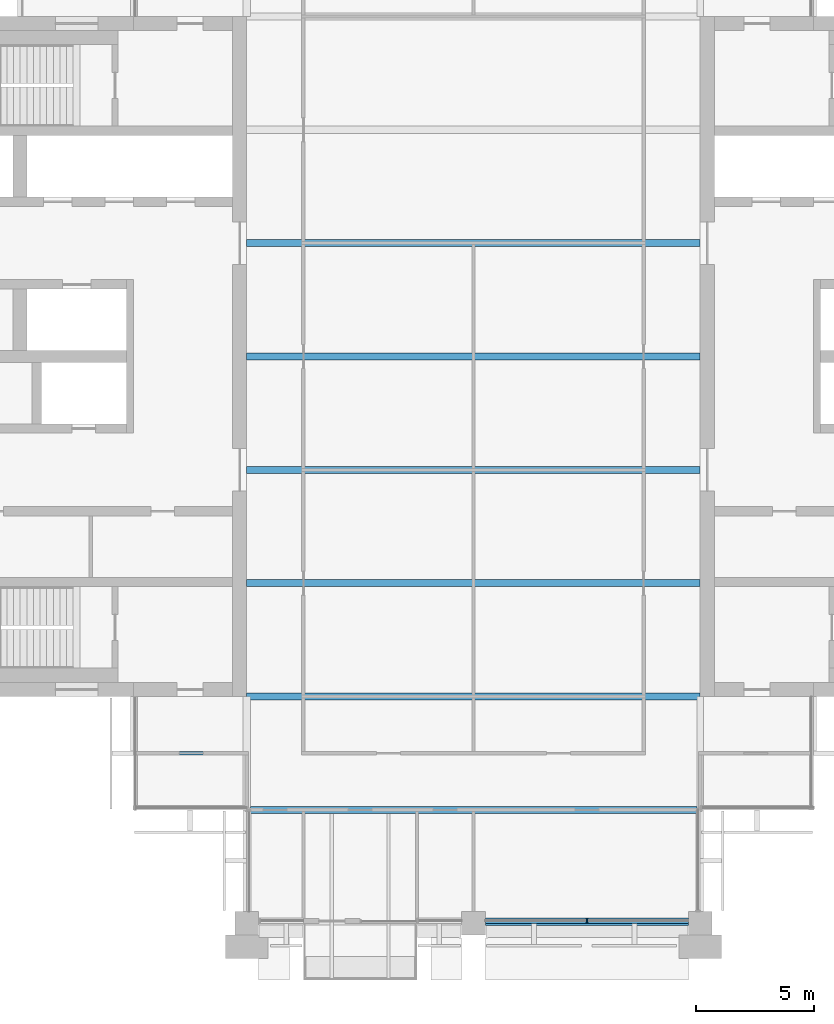
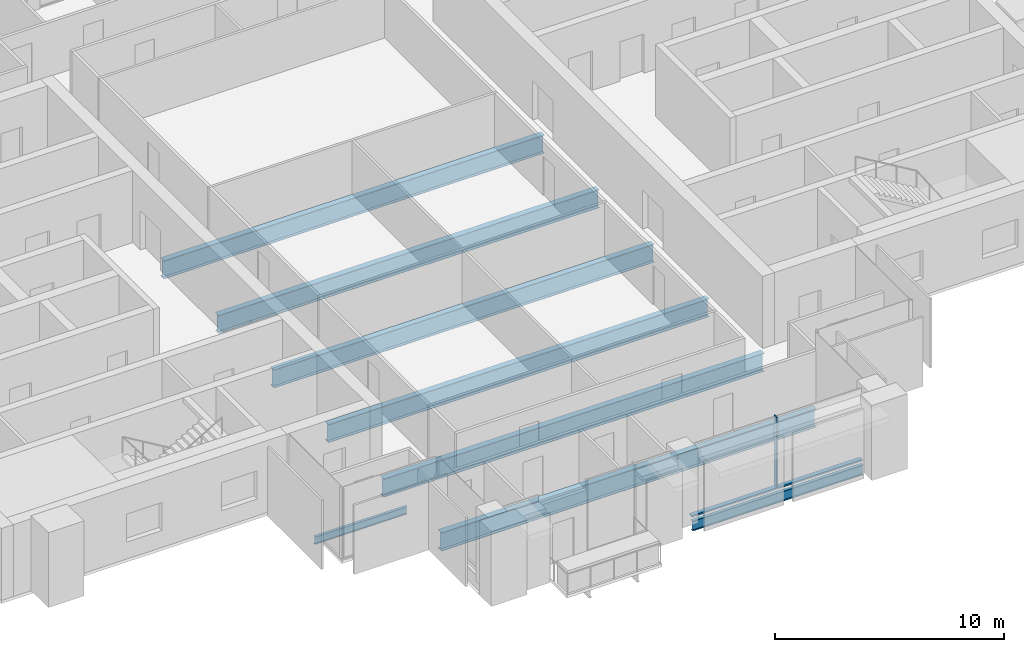
# One storey, part 3 of 14: 8 beams, 2 members, 1 element without a shape of its own.
"""IFC4 building model written with IfcOpenShell, lengths in metres."""

from ifc_helpers import new_model, si_unit, direction, frame, origin, origin_2d, place, context, subcontext, project, spatial, rectangle, i_section, extrude, material, material_profile, profile_set, type_object, element, aggregate, save


model = new_model("IFC4")

# Units and contexts
model_context = context("Model", 3, precision=1e-05, world=origin(), true_north=direction((0.0, 1.0)))
body_context = subcontext(model_context, "Body", "Model", "MODEL_VIEW")
ifc_project = project(units=[si_unit("LENGTHUNIT", "METRE"), si_unit("AREAUNIT", "SQUARE_METRE"), si_unit("VOLUMEUNIT", "CUBIC_METRE"), si_unit("PLANEANGLEUNIT", "RADIAN"), si_unit("MASSUNIT", "GRAM", prefix="KILO")], contexts=[model_context])

# Site, building, storey
site_placement = place(None, origin())
site = spatial("IfcSite", under=ifc_project, at=site_placement, CompositionType="ELEMENT")
building_placement = place(site_placement, origin())
building = spatial("IfcBuilding", under=site, at=building_placement, Name="Baori Bourse Tower", CompositionType="ELEMENT")
storey_placement = place(building_placement, frame((0.0, 0.0, 290.300048828125)))
storey = spatial("IfcBuildingStorey", under=building, at=storey_placement, Name="L63", CompositionType="ELEMENT", Elevation=290.300048828125)

# Curtain wall, members
ifc_material_1 = material(Name="Pale anodised aluminium", Category="aluminium")
curtain_wall_type = type_object("IfcCurtainWallType", Name="CW5 Curtain wall", PredefinedType="NOTDEFINED", material=ifc_material_1)
curtain_wall_placement = place(storey_placement, origin())
curtain_wall = element("IfcCurtainWall", 1, at=curtain_wall_placement, inside=storey, type_object=curtain_wall_type, Name="Curtain wall CW5 L63 15", PredefinedType="NOTDEFINED")
ifc_material_2 = material(Name="Pale anodised aluminium", Category="aluminium")
ifc_material_profile_1 = material_profile(ifc_material_2, rectangle(XDim=0.219970703125, YDim=0.06494140625, at=origin_2d()), Name="Mullion 65x220")
ifc_profile_set_1 = profile_set([ifc_material_profile_1], Name="Pale anodised aluminium")
member_type_1 = type_object("IfcMemberType", Name="CW5 Curtain wall mullion", PredefinedType="MULLION", material=ifc_profile_set_1)
member_1_placement = place(storey_placement, frame((33.60009765625, 0.110107421875, 0.0849609375), z_axis=(0.0, 0.0, 1.0), x_axis=(0.0, 1.0, 0.0)))
member_1 = element("IfcMember", 2, at=member_1_placement, type_object=member_type_1, Name="Curtain wall CW5 mullion", PredefinedType="MULLION", context=body_context, shape_type="SweptSolid", body=[
    extrude(rectangle(XDim=0.219970703125, YDim=0.06494140625, at=origin_2d()), origin(), (0.0, 0.0, 1.0), 3.7548828125),
])
ifc_material_3 = material(Name="Pale anodised aluminium", Category="aluminium")
ifc_material_profile_2 = material_profile(ifc_material_3, rectangle(XDim=0.219970703125, YDim=0.0849609375, at=origin_2d()), Name="Transom 85x220")
ifc_profile_set_2 = profile_set([ifc_material_profile_2], Name="Pale anodised aluminium")
member_type_2 = type_object("IfcMemberType", Name="CW5 Curtain wall transom", PredefinedType="USERDEFINED", material=ifc_profile_set_2)
member_2_placement = place(storey_placement, frame((29.300048828125, 0.110107421875, 0.04248046875), z_axis=(1.0, 0.0, 0.0), x_axis=(0.0, 1.0, 0.0)))
member_2 = element("IfcMember", 3, at=member_2_placement, type_object=member_type_2, Name="Curtain wall CW5 sill rail", ObjectType="TRANSOM", PredefinedType="USERDEFINED", context=body_context, shape_type="SweptSolid", body=[
    extrude(rectangle(XDim=0.219970703125, YDim=0.0849609375, at=origin_2d()), origin(), (0.0, 0.0, 1.0), 8.599853515625),
])
aggregate(curtain_wall, [member_2, member_1])

# Beams
ifc_material_4 = material(Name="Steel A992 Gr 50", Category="steel")
ifc_material_profile_3 = material_profile(ifc_material_4, i_section(OverallWidth=0.1650390625, OverallDepth=0.52587890625, WebThickness=0.0087890625, FlangeThickness=0.011474609375, at=origin_2d()), Name="W21x44")
ifc_profile_set_3 = profile_set([ifc_material_profile_3], Name="Steel A992 Gr 50")
beam_type_1 = type_object("IfcBeamType", Name="Edge beam W21x44", PredefinedType="BEAM", material=ifc_profile_set_3)
beam_1_placement = place(storey_placement, frame((29.300048828125, 0.0, -0.4228515625), z_axis=(1.0, 0.0, 0.0), x_axis=(0.0, 1.0, 0.0)))
element("IfcBeam", 4, at=beam_1_placement, inside=storey, type_object=beam_type_1, Name="Edge beam L63", PredefinedType="BEAM", context=body_context, shape_type="SweptSolid", body=[
    extrude(i_section(OverallWidth=0.1650390625, OverallDepth=0.52587890625, WebThickness=0.0087890625, FlangeThickness=0.011474609375, at=origin_2d()), origin(), (0.0, 0.0, 1.0), 8.599853515625),
])
ifc_material_5 = material(Name="Steel A992 Gr 50", Category="steel")
ifc_material_profile_4 = material_profile(ifc_material_5, i_section(OverallWidth=0.2998046875, OverallDepth=0.97021484375, WebThickness=0.01611328125, FlangeThickness=0.02099609375, at=origin_2d()), Name="W40x149")
ifc_profile_set_4 = profile_set([ifc_material_profile_4], Name="Steel A992 Gr 50")
beam_type_2 = type_object("IfcBeamType", Name="Floor beam W40x149", PredefinedType="BEAM", material=ifc_profile_set_4)
for number, where, z_axis, x_axis, name in (
    (5, (19.199951171875, 9.60009765625, -0.645263671875), (1.0, 0.0, 0.0), (0.0, 1.0, 0.0), "Floor beam L63"),
    (6, (19.199951171875, 14.39990234375, -0.645263671875), (1.0, 0.0, 0.0), (0.0, 1.0, 0.0), "Floor beam L63"),
    (7, (19.199951171875, 19.199951171875, -0.645263671875), (1.0, 0.0, 0.0), (0.0, 1.0, 0.0), "Floor beam L63"),
    (8, (19.199951171875, 24.0, -0.645263671875), (1.0, 0.0, 0.0), (0.0, 1.0, 0.0), "Floor beam L63"),
    (9, (19.199951171875, 28.800048828125, -0.645263671875), (1.0, 0.0, 0.0), (0.0, 1.0, 0.0), "Floor beam L63"),
):
    element("IfcBeam", number, at=place(storey_placement, frame(where, z_axis=z_axis, x_axis=x_axis)), inside=storey, type_object=beam_type_2, Name=name, PredefinedType="BEAM", context=body_context, shape_type="SweptSolid", body=[
        extrude(i_section(OverallWidth=0.2998046875, OverallDepth=0.97021484375, WebThickness=0.01611328125, FlangeThickness=0.02099609375, at=origin_2d()), origin(), (0.0, 0.0, 1.0), 19.199951171875),
    ])
ifc_material_6 = material(Name="Steel A992 Gr 50", Category="steel")
ifc_material_profile_5 = material_profile(ifc_material_6, i_section(OverallWidth=0.2998046875, OverallDepth=0.990478515625, WebThickness=0.0166015625, FlangeThickness=0.030517578125, at=origin_2d()), Name="W40x183")
ifc_profile_set_5 = profile_set([ifc_material_profile_5], Name="Steel A992 Gr 50")
beam_type_3 = type_object("IfcBeamType", Name="Floor beam W40x183", PredefinedType="BEAM", material=ifc_profile_set_5)
beam_2_placement = place(storey_placement, frame((19.352294921875, 4.800048828125, -0.6552734375), z_axis=(1.0, 0.0, 0.0), x_axis=(0.0, 1.0, 0.0)))
element("IfcBeam", 10, at=beam_2_placement, inside=storey, type_object=beam_type_3, Name="Floor beam L63", PredefinedType="BEAM", context=body_context, shape_type="SweptSolid", body=[
    extrude(i_section(OverallWidth=0.2998046875, OverallDepth=0.990478515625, WebThickness=0.0166015625, FlangeThickness=0.030517578125, at=origin_2d()), origin(), (0.0, 0.0, 1.0), 18.901611328125),
])
ifc_material_7 = material(Name="Steel A992 Gr 50", Category="steel")
ifc_material_profile_6 = material_profile(ifc_material_7, i_section(OverallWidth=0.140380859375, OverallDepth=0.40380859375, WebThickness=0.007080078125, FlangeThickness=0.01123046875, at=origin_2d()), Name="W16x31")
ifc_profile_set_6 = profile_set([ifc_material_profile_6], Name="Steel A992 Gr 50")
beam_type_4 = type_object("IfcBeamType", Name="Trimmer beam W16x31", PredefinedType="BEAM", material=ifc_profile_set_6)
beam_3_placement = place(storey_placement, frame((14.39990234375, 7.199951171875, -0.362060546875), z_axis=(1.0, 0.0, 0.0), x_axis=(0.0, 1.0, 0.0)))
element("IfcBeam", 11, at=beam_3_placement, inside=storey, type_object=beam_type_4, Name="Trimmer beam L63", PredefinedType="BEAM", context=body_context, shape_type="SweptSolid", body=[
    extrude(i_section(OverallWidth=0.140380859375, OverallDepth=0.40380859375, WebThickness=0.007080078125, FlangeThickness=0.01123046875, at=origin_2d()), origin(), (0.0, 0.0, 1.0), 4.647705078125),
])

save(model, "model.ifc")
